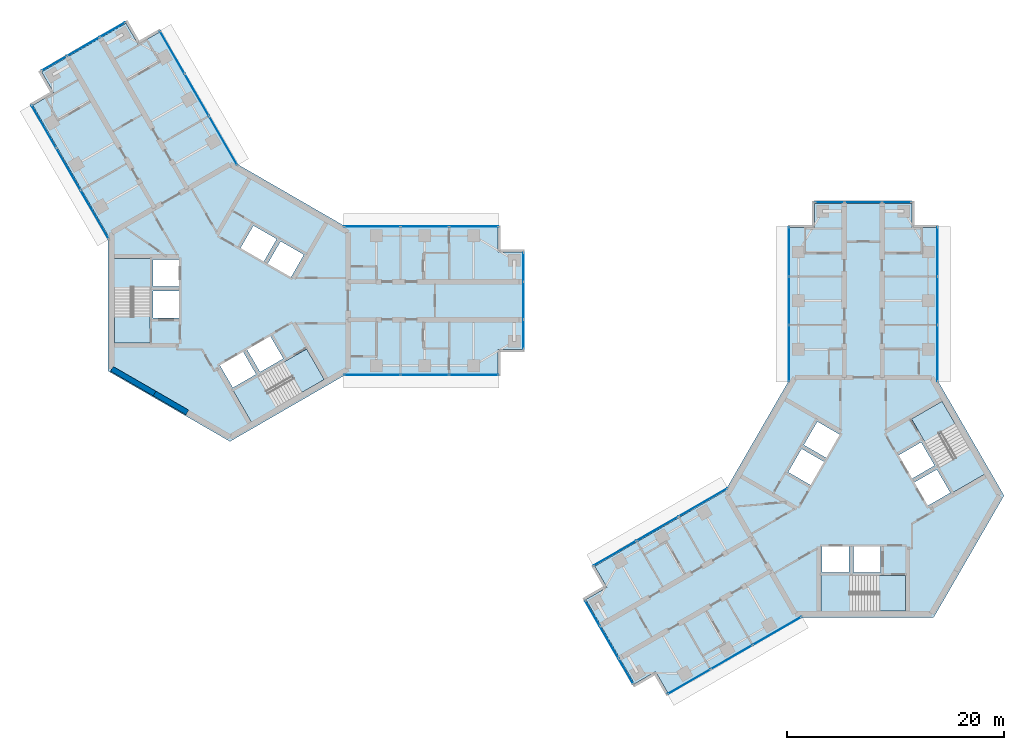
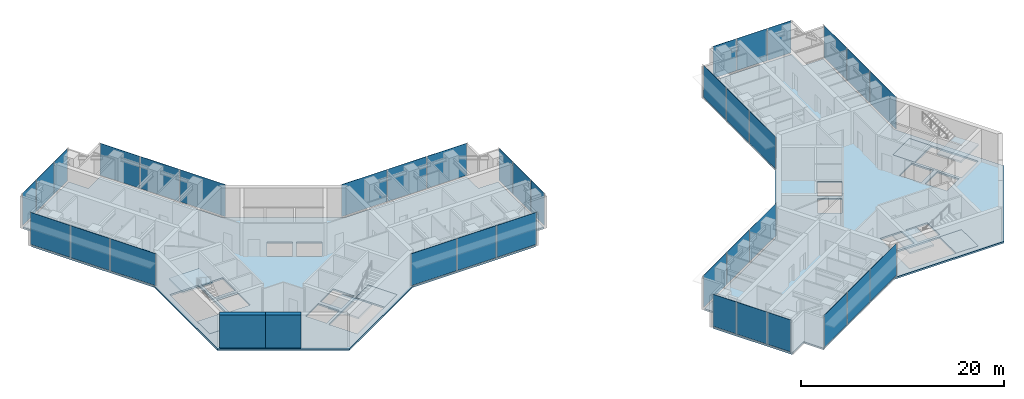
# One storey, part 10 of 17: 36 plates, 10 slabs, 2 walls, 16 elements without a shape of their own.
"""IFC4 building model written with IfcOpenShell, lengths in metres."""

from ifc_helpers import new_model, si_unit, direction, frame, frame_2d, origin, origin_2d, place, context, subcontext, project, spatial, polyline, rectangle, outline, extrude, material, layer, layer_set, type_object, element, aggregate, save


model = new_model("IFC4")

# Units and contexts
model_context = context("Model", 3, precision=1e-05, world=origin(), true_north=direction((0.0, 1.0)))
body_context = subcontext(model_context, "Body", "Model", "MODEL_VIEW")
ifc_project = project(units=[si_unit("LENGTHUNIT", "METRE"), si_unit("AREAUNIT", "SQUARE_METRE"), si_unit("VOLUMEUNIT", "CUBIC_METRE"), si_unit("PLANEANGLEUNIT", "RADIAN"), si_unit("MASSUNIT", "GRAM", prefix="KILO")], contexts=[model_context])

# Site, building, storey
site_placement = place(None, origin())
site = spatial("IfcSite", under=ifc_project, at=site_placement, CompositionType="ELEMENT")
building_placement = place(site_placement, origin())
building = spatial("IfcBuilding", under=site, at=building_placement, Name="Upepo Twin Towers", CompositionType="ELEMENT")
storey_placement = place(building_placement, frame((0.0, 0.0, 214.5)))
storey = spatial("IfcBuildingStorey", under=building, at=storey_placement, Name="L52", CompositionType="ELEMENT", Elevation=214.5)

# Curtain wall, plates
ifc_material_1 = material(Name="Aluminium and fritted glass", Category="aluminium")
curtain_wall_type = type_object("IfcCurtainWallType", Name="Tower curtain wall TW3, fritted glass", PredefinedType="NOTDEFINED", material=ifc_material_1)
curtain_wall_1_placement = place(storey_placement, origin())
curtain_wall_1 = element("IfcCurtainWall", 1, at=curtain_wall_1_placement, inside=storey, type_object=curtain_wall_type, Name="T1 L52 wing A flank L curtain wall", PredefinedType="NOTDEFINED")
ifc_material_2 = material(Name="Ceramic-fritted laminated glass", Category="glass")
ifc_layer_1 = layer(ifc_material_2, 0.031982421875)
ifc_layer_set_1 = layer_set([ifc_layer_1], Name="Fritted glass panel, 55 per cent dot frit, 32 mm double glazed")
plate_type_1 = type_object("IfcPlateType", Name="Fritted glass panel, 55 per cent dot frit, 32 mm double glazed", PredefinedType="CURTAIN_PANEL", material=ifc_layer_set_1)
plate_1_placement = place(storey_placement, frame((13.134765625, 6.85009765625, 0.14990234375), z_axis=(0.0, 0.0, 1.0), x_axis=(1.0, 0.0, 0.0)))
plate_1 = element("IfcPlate", 2, at=plate_1_placement, type_object=plate_type_1, Name="T1 L52 wing A flank L curtain wall panel 1", PredefinedType="CURTAIN_PANEL", context=body_context, shape_type="SweptSolid", body=[
    extrude(rectangle(XDim=5.165283203125, YDim=0.031982421875, at=origin_2d()), origin(), (0.0, 0.0, 1.0), 3.85009765625),
])
plate_2_placement = place(storey_placement, frame((18.0, 6.85009765625, 0.14990234375), z_axis=(0.0, 0.0, 1.0), x_axis=(1.0, 0.0, 0.0)))
plate_2 = element("IfcPlate", 3, at=plate_2_placement, type_object=plate_type_1, Name="T1 L52 wing A flank L curtain wall panel 2", PredefinedType="CURTAIN_PANEL", context=body_context, shape_type="SweptSolid", body=[
    extrude(rectangle(XDim=4.43505859375, YDim=0.031982421875, at=origin_2d()), origin(), (0.0, 0.0, 1.0), 3.85009765625),
])
plate_3_placement = place(storey_placement, frame((22.53369140625, 6.85009765625, 0.14990234375), z_axis=(0.0, 0.0, 1.0), x_axis=(1.0, 0.0, 0.0)))
plate_3 = element("IfcPlate", 4, at=plate_3_placement, type_object=plate_type_1, Name="T1 L52 wing A flank L curtain wall panel 3", PredefinedType="CURTAIN_PANEL", context=body_context, shape_type="SweptSolid", body=[
    extrude(rectangle(XDim=4.50244140625, YDim=0.031982421875, at=origin_2d()), origin(), (0.0, 0.0, 1.0), 3.85009765625),
])
aggregate(curtain_wall_1, [plate_1, plate_2, plate_3])

curtain_wall_2_placement = place(storey_placement, origin())
curtain_wall_2 = element("IfcCurtainWall", 5, at=curtain_wall_2_placement, inside=storey, type_object=curtain_wall_type, Name="T1 L52 wing A flank R curtain wall", PredefinedType="NOTDEFINED")
plate_4_placement = place(storey_placement, frame((22.53369140625, -6.85009765625, 0.14990234375), z_axis=(0.0, 0.0, 1.0), x_axis=(-1.0, 0.0, 0.0)))
plate_4 = element("IfcPlate", 6, at=plate_4_placement, type_object=plate_type_1, Name="T1 L52 wing A flank R curtain wall panel 1", PredefinedType="CURTAIN_PANEL", context=body_context, shape_type="SweptSolid", body=[
    extrude(rectangle(XDim=4.50244140625, YDim=0.031982421875, at=origin_2d()), origin(), (0.0, 0.0, 1.0), 3.85009765625),
])
plate_5_placement = place(storey_placement, frame((18.0, -6.85009765625, 0.14990234375), z_axis=(0.0, 0.0, 1.0), x_axis=(-1.0, 0.0, 0.0)))
plate_5 = element("IfcPlate", 7, at=plate_5_placement, type_object=plate_type_1, Name="T1 L52 wing A flank R curtain wall panel 2", PredefinedType="CURTAIN_PANEL", context=body_context, shape_type="SweptSolid", body=[
    extrude(rectangle(XDim=4.43505859375, YDim=0.031982421875, at=origin_2d()), origin(), (0.0, 0.0, 1.0), 3.85009765625),
])
plate_6_placement = place(storey_placement, frame((13.134765625, -6.85009765625, 0.14990234375), z_axis=(0.0, 0.0, 1.0), x_axis=(-1.0, 0.0, 0.0)))
plate_6 = element("IfcPlate", 8, at=plate_6_placement, type_object=plate_type_1, Name="T1 L52 wing A flank R curtain wall panel 3", PredefinedType="CURTAIN_PANEL", context=body_context, shape_type="SweptSolid", body=[
    extrude(rectangle(XDim=5.165283203125, YDim=0.031982421875, at=origin_2d()), origin(), (0.0, 0.0, 1.0), 3.85009765625),
])
aggregate(curtain_wall_2, [plate_4, plate_5, plate_6])

# Curtain wall, plate
curtain_wall_3_placement = place(storey_placement, origin())
curtain_wall_3 = element("IfcCurtainWall", 9, at=curtain_wall_3_placement, inside=storey, type_object=curtain_wall_type, Name="T1 L52 wing A nose curtain wall", PredefinedType="NOTDEFINED")
plate_7_placement = place(storey_placement, frame((27.10009765625, 0.0, 0.14990234375), z_axis=(0.0, 0.0, 1.0), x_axis=(0.0, 1.0, 0.0)))
plate_7 = element("IfcPlate", 10, at=plate_7_placement, type_object=plate_type_1, Name="T1 L52 wing A nose curtain wall panel 2", PredefinedType="CURTAIN_PANEL", context=body_context, shape_type="SweptSolid", body=[
    extrude(rectangle(XDim=3.43505859375, YDim=0.031982421875, at=origin_2d()), origin(), (0.0, 0.0, 1.0), 3.85009765625),
])

# Curtain wall, plates
curtain_wall_4_placement = place(storey_placement, origin())
curtain_wall_4 = element("IfcCurtainWall", 11, at=curtain_wall_4_placement, inside=storey, type_object=curtain_wall_type, Name="T1 L52 wing B flank L curtain wall", PredefinedType="NOTDEFINED")
plate_8_placement = place(storey_placement, frame((-12.499755859375, 7.9501953125, 0.14990234375), z_axis=(0.0, 0.0, 1.0), x_axis=(-0.500000026527, 0.866025388469, 0.0)))
plate_8 = element("IfcPlate", 12, at=plate_8_placement, type_object=plate_type_1, Name="T1 L52 wing B flank L curtain wall panel 1", PredefinedType="CURTAIN_PANEL", context=body_context, shape_type="SweptSolid", body=[
    extrude(rectangle(XDim=5.165283203125, YDim=0.031982421875, at=origin_2d()), origin(), (0.0, 0.0, 1.0), 3.85009765625),
])
plate_9_placement = place(storey_placement, frame((-14.932373046875, 12.16357421875, 0.14990234375), z_axis=(0.0, 0.0, 1.0), x_axis=(-0.500000026527, 0.866025388469, 0.0)))
plate_9 = element("IfcPlate", 13, at=plate_9_placement, type_object=plate_type_1, Name="T1 L52 wing B flank L curtain wall panel 2", PredefinedType="CURTAIN_PANEL", context=body_context, shape_type="SweptSolid", body=[
    extrude(rectangle(XDim=4.43505859375, YDim=0.031982421875, at=origin_2d()), origin(), (0.0, 0.0, 1.0), 3.85009765625),
])
plate_10_placement = place(storey_placement, frame((-17.19921875, 16.08984375, 0.14990234375), z_axis=(0.0, 0.0, 1.0), x_axis=(-0.500000026527, 0.866025388469, 0.0)))
plate_10 = element("IfcPlate", 14, at=plate_10_placement, type_object=plate_type_1, Name="T1 L52 wing B flank L curtain wall panel 3", PredefinedType="CURTAIN_PANEL", context=body_context, shape_type="SweptSolid", body=[
    extrude(rectangle(XDim=4.50244140625, YDim=0.031982421875, at=origin_2d()), origin(), (0.0, 0.0, 1.0), 3.85009765625),
])
aggregate(curtain_wall_4, [plate_8, plate_9, plate_10])

curtain_wall_5_placement = place(storey_placement, origin())
curtain_wall_5 = element("IfcCurtainWall", 15, at=curtain_wall_5_placement, inside=storey, type_object=curtain_wall_type, Name="T1 L52 wing B flank R curtain wall", PredefinedType="NOTDEFINED")
plate_11_placement = place(storey_placement, frame((-5.334716796875, 22.939697265625, 0.14990234375), z_axis=(0.0, 0.0, 1.0), x_axis=(0.500000026527, -0.866025388469, 0.0)))
plate_11 = element("IfcPlate", 16, at=plate_11_placement, type_object=plate_type_1, Name="T1 L52 wing B flank R curtain wall panel 1", PredefinedType="CURTAIN_PANEL", context=body_context, shape_type="SweptSolid", body=[
    extrude(rectangle(XDim=4.50244140625, YDim=0.031982421875, at=origin_2d()), origin(), (0.0, 0.0, 1.0), 3.85009765625),
])
plate_12_placement = place(storey_placement, frame((-3.067626953125, 19.013427734375, 0.14990234375), z_axis=(0.0, 0.0, 1.0), x_axis=(0.500000026527, -0.866025388469, 0.0)))
plate_12 = element("IfcPlate", 17, at=plate_12_placement, type_object=plate_type_1, Name="T1 L52 wing B flank R curtain wall panel 2", PredefinedType="CURTAIN_PANEL", context=body_context, shape_type="SweptSolid", body=[
    extrude(rectangle(XDim=4.43505859375, YDim=0.031982421875, at=origin_2d()), origin(), (0.0, 0.0, 1.0), 3.85009765625),
])
plate_13_placement = place(storey_placement, frame((-0.635009765625, 14.800048828125, 0.14990234375), z_axis=(0.0, 0.0, 1.0), x_axis=(0.500000026527, -0.866025388469, 0.0)))
plate_13 = element("IfcPlate", 18, at=plate_13_placement, type_object=plate_type_1, Name="T1 L52 wing B flank R curtain wall panel 3", PredefinedType="CURTAIN_PANEL", context=body_context, shape_type="SweptSolid", body=[
    extrude(rectangle(XDim=5.165283203125, YDim=0.031982421875, at=origin_2d()), origin(), (0.0, 0.0, 1.0), 3.85009765625),
])
aggregate(curtain_wall_5, [plate_11, plate_12, plate_13])

# Curtain wall, plate
curtain_wall_6_placement = place(storey_placement, origin())
curtain_wall_6 = element("IfcCurtainWall", 19, at=curtain_wall_6_placement, inside=storey, type_object=curtain_wall_type, Name="T1 L52 wing B nose curtain wall", PredefinedType="NOTDEFINED")
plate_14_placement = place(storey_placement, frame((-13.550048828125, 23.46923828125, 0.14990234375), z_axis=(0.0, 0.0, 1.0), x_axis=(-0.866025386174, -0.500000030502, 0.0)))
plate_14 = element("IfcPlate", 20, at=plate_14_placement, type_object=plate_type_1, Name="T1 L52 wing B nose curtain wall panel 2", PredefinedType="CURTAIN_PANEL", context=body_context, shape_type="SweptSolid", body=[
    extrude(rectangle(XDim=3.43505859375, YDim=0.031982421875, at=origin_2d()), origin(), (0.0, 0.0, 1.0), 3.85009765625),
])

# Curtain wall, plates
curtain_wall_7_placement = place(storey_placement, origin())
curtain_wall_7 = element("IfcCurtainWall", 21, at=curtain_wall_7_placement, inside=storey, type_object=curtain_wall_type, Name="T2 L52 wing A flank L curtain wall", PredefinedType="NOTDEFINED")
plate_15_placement = place(storey_placement, frame((51.64990234375, -4.865234375, 0.14990234375), z_axis=(0.0, 0.0, 1.0), x_axis=(0.0, 1.0, 0.0)))
plate_15 = element("IfcPlate", 22, at=plate_15_placement, type_object=plate_type_1, Name="T2 L52 wing A flank L curtain wall panel 1", PredefinedType="CURTAIN_PANEL", context=body_context, shape_type="SweptSolid", body=[
    extrude(rectangle(XDim=5.165283203125, YDim=0.031982421875, at=origin_2d()), origin(), (0.0, 0.0, 1.0), 3.85009765625),
])
plate_16_placement = place(storey_placement, frame((51.64990234375, 0.0, 0.14990234375), z_axis=(0.0, 0.0, 1.0), x_axis=(0.0, 1.0, 0.0)))
plate_16 = element("IfcPlate", 23, at=plate_16_placement, type_object=plate_type_1, Name="T2 L52 wing A flank L curtain wall panel 2", PredefinedType="CURTAIN_PANEL", context=body_context, shape_type="SweptSolid", body=[
    extrude(rectangle(XDim=4.43505859375, YDim=0.031982421875, at=origin_2d()), origin(), (0.0, 0.0, 1.0), 3.85009765625),
])
plate_17_placement = place(storey_placement, frame((51.64990234375, 4.53369140625, 0.14990234375), z_axis=(0.0, 0.0, 1.0), x_axis=(0.0, 1.0, 0.0)))
plate_17 = element("IfcPlate", 24, at=plate_17_placement, type_object=plate_type_1, Name="T2 L52 wing A flank L curtain wall panel 3", PredefinedType="CURTAIN_PANEL", context=body_context, shape_type="SweptSolid", body=[
    extrude(rectangle(XDim=4.50244140625, YDim=0.031982421875, at=origin_2d()), origin(), (0.0, 0.0, 1.0), 3.85009765625),
])
aggregate(curtain_wall_7, [plate_15, plate_16, plate_17])

curtain_wall_8_placement = place(storey_placement, origin())
curtain_wall_8 = element("IfcCurtainWall", 25, at=curtain_wall_8_placement, inside=storey, type_object=curtain_wall_type, Name="T2 L52 wing A flank R curtain wall", PredefinedType="NOTDEFINED")
plate_18_placement = place(storey_placement, frame((65.35009765625, 4.53369140625, 0.14990234375), z_axis=(0.0, 0.0, 1.0), x_axis=(0.0, -1.0, 0.0)))
plate_18 = element("IfcPlate", 26, at=plate_18_placement, type_object=plate_type_1, Name="T2 L52 wing A flank R curtain wall panel 1", PredefinedType="CURTAIN_PANEL", context=body_context, shape_type="SweptSolid", body=[
    extrude(rectangle(XDim=4.50244140625, YDim=0.031982421875, at=origin_2d()), origin(), (0.0, 0.0, 1.0), 3.85009765625),
])
plate_19_placement = place(storey_placement, frame((65.35009765625, 0.0, 0.14990234375), z_axis=(0.0, 0.0, 1.0), x_axis=(0.0, -1.0, 0.0)))
plate_19 = element("IfcPlate", 27, at=plate_19_placement, type_object=plate_type_1, Name="T2 L52 wing A flank R curtain wall panel 2", PredefinedType="CURTAIN_PANEL", context=body_context, shape_type="SweptSolid", body=[
    extrude(rectangle(XDim=4.43505859375, YDim=0.031982421875, at=origin_2d()), origin(), (0.0, 0.0, 1.0), 3.85009765625),
])
plate_20_placement = place(storey_placement, frame((65.35009765625, -4.865234375, 0.14990234375), z_axis=(0.0, 0.0, 1.0), x_axis=(0.0, -1.0, 0.0)))
plate_20 = element("IfcPlate", 28, at=plate_20_placement, type_object=plate_type_1, Name="T2 L52 wing A flank R curtain wall panel 3", PredefinedType="CURTAIN_PANEL", context=body_context, shape_type="SweptSolid", body=[
    extrude(rectangle(XDim=5.165283203125, YDim=0.031982421875, at=origin_2d()), origin(), (0.0, 0.0, 1.0), 3.85009765625),
])
aggregate(curtain_wall_8, [plate_18, plate_19, plate_20])

# Curtain wall, plate
curtain_wall_9_placement = place(storey_placement, origin())
curtain_wall_9 = element("IfcCurtainWall", 29, at=curtain_wall_9_placement, inside=storey, type_object=curtain_wall_type, Name="T2 L52 wing A nose curtain wall", PredefinedType="NOTDEFINED")
plate_21_placement = place(storey_placement, frame((58.5, 9.10009765625, 0.14990234375), z_axis=(0.0, 0.0, 1.0), x_axis=(-1.0, 0.0, 0.0)))
plate_21 = element("IfcPlate", 30, at=plate_21_placement, type_object=plate_type_1, Name="T2 L52 wing A nose curtain wall panel 2", PredefinedType="CURTAIN_PANEL", context=body_context, shape_type="SweptSolid", body=[
    extrude(rectangle(XDim=3.43505859375, YDim=0.031982421875, at=origin_2d()), origin(), (0.0, 0.0, 1.0), 3.85009765625),
])

# Curtain wall, plates
curtain_wall_10_placement = place(storey_placement, origin())
curtain_wall_10 = element("IfcCurtainWall", 31, at=curtain_wall_10_placement, inside=storey, type_object=curtain_wall_type, Name="T2 L52 wing B flank L curtain wall", PredefinedType="NOTDEFINED")
plate_22_placement = place(storey_placement, frame((50.5498046875, -30.499755859375, 0.14990234375), z_axis=(0.0, 0.0, 1.0), x_axis=(-0.866025388469, -0.500000026527, 0.0)))
plate_22 = element("IfcPlate", 32, at=plate_22_placement, type_object=plate_type_1, Name="T2 L52 wing B flank L curtain wall panel 1", PredefinedType="CURTAIN_PANEL", context=body_context, shape_type="SweptSolid", body=[
    extrude(rectangle(XDim=5.165283203125, YDim=0.031982421875, at=origin_2d()), origin(), (0.0, 0.0, 1.0), 3.85009765625),
])
plate_23_placement = place(storey_placement, frame((46.33642578125, -32.932373046875, 0.14990234375), z_axis=(0.0, 0.0, 1.0), x_axis=(-0.866025388469, -0.500000026527, 0.0)))
plate_23 = element("IfcPlate", 33, at=plate_23_placement, type_object=plate_type_1, Name="T2 L52 wing B flank L curtain wall panel 2", PredefinedType="CURTAIN_PANEL", context=body_context, shape_type="SweptSolid", body=[
    extrude(rectangle(XDim=4.43505859375, YDim=0.031982421875, at=origin_2d()), origin(), (0.0, 0.0, 1.0), 3.85009765625),
])
plate_24_placement = place(storey_placement, frame((42.41015625, -35.19921875, 0.14990234375), z_axis=(0.0, 0.0, 1.0), x_axis=(-0.866025388469, -0.500000026527, 0.0)))
plate_24 = element("IfcPlate", 34, at=plate_24_placement, type_object=plate_type_1, Name="T2 L52 wing B flank L curtain wall panel 3", PredefinedType="CURTAIN_PANEL", context=body_context, shape_type="SweptSolid", body=[
    extrude(rectangle(XDim=4.50244140625, YDim=0.031982421875, at=origin_2d()), origin(), (0.0, 0.0, 1.0), 3.85009765625),
])
aggregate(curtain_wall_10, [plate_22, plate_23, plate_24])

curtain_wall_11_placement = place(storey_placement, origin())
curtain_wall_11 = element("IfcCurtainWall", 35, at=curtain_wall_11_placement, inside=storey, type_object=curtain_wall_type, Name="T2 L52 wing B flank R curtain wall", PredefinedType="NOTDEFINED")
plate_25_placement = place(storey_placement, frame((35.560302734375, -23.334716796875, 0.14990234375), z_axis=(0.0, 0.0, 1.0), x_axis=(0.866025388469, 0.500000026527, 0.0)))
plate_25 = element("IfcPlate", 36, at=plate_25_placement, type_object=plate_type_1, Name="T2 L52 wing B flank R curtain wall panel 1", PredefinedType="CURTAIN_PANEL", context=body_context, shape_type="SweptSolid", body=[
    extrude(rectangle(XDim=4.50244140625, YDim=0.031982421875, at=origin_2d()), origin(), (0.0, 0.0, 1.0), 3.85009765625),
])
plate_26_placement = place(storey_placement, frame((39.486572265625, -21.067626953125, 0.14990234375), z_axis=(0.0, 0.0, 1.0), x_axis=(0.866025388469, 0.500000026527, 0.0)))
plate_26 = element("IfcPlate", 37, at=plate_26_placement, type_object=plate_type_1, Name="T2 L52 wing B flank R curtain wall panel 2", PredefinedType="CURTAIN_PANEL", context=body_context, shape_type="SweptSolid", body=[
    extrude(rectangle(XDim=4.43505859375, YDim=0.031982421875, at=origin_2d()), origin(), (0.0, 0.0, 1.0), 3.85009765625),
])
plate_27_placement = place(storey_placement, frame((43.699951171875, -18.635009765625, 0.14990234375), z_axis=(0.0, 0.0, 1.0), x_axis=(0.866025388469, 0.500000026527, 0.0)))
plate_27 = element("IfcPlate", 38, at=plate_27_placement, type_object=plate_type_1, Name="T2 L52 wing B flank R curtain wall panel 3", PredefinedType="CURTAIN_PANEL", context=body_context, shape_type="SweptSolid", body=[
    extrude(rectangle(XDim=5.165283203125, YDim=0.031982421875, at=origin_2d()), origin(), (0.0, 0.0, 1.0), 3.85009765625),
])
aggregate(curtain_wall_11, [plate_25, plate_26, plate_27])

# Curtain wall, plate
curtain_wall_12_placement = place(storey_placement, origin())
curtain_wall_12 = element("IfcCurtainWall", 39, at=curtain_wall_12_placement, inside=storey, type_object=curtain_wall_type, Name="T2 L52 wing B nose curtain wall", PredefinedType="NOTDEFINED")
plate_28_placement = place(storey_placement, frame((35.03076171875, -31.550048828125, 0.14990234375), z_axis=(0.0, 0.0, 1.0), x_axis=(0.500000030502, -0.866025386174, 0.0)))
plate_28 = element("IfcPlate", 40, at=plate_28_placement, type_object=plate_type_1, Name="T2 L52 wing B nose curtain wall panel 2", PredefinedType="CURTAIN_PANEL", context=body_context, shape_type="SweptSolid", body=[
    extrude(rectangle(XDim=3.43505859375, YDim=0.031982421875, at=origin_2d()), origin(), (0.0, 0.0, 1.0), 3.85009765625),
])

# Plate
ifc_material_3 = material(Name="Clear laminated glass in opening sash", Category="glass")
ifc_layer_2 = layer(ifc_material_3, 0.031982421875)
ifc_layer_set_2 = layer_set([ifc_layer_2], Name="Operable glass panel, 32 mm double glazed")
plate_type_2 = type_object("IfcPlateType", Name="Operable glass panel, 32 mm double glazed", PredefinedType="CURTAIN_PANEL", material=ifc_layer_set_2)
plate_29_placement = place(storey_placement, frame((27.10009765625, -3.108642578125, 0.14990234375), z_axis=(0.0, 0.0, 1.0), x_axis=(0.0, 1.0, 0.0)))
plate_29 = element("IfcPlate", 41, at=plate_29_placement, type_object=plate_type_2, Name="T1 L52 wing A nose curtain wall panel 1", PredefinedType="CURTAIN_PANEL", context=body_context, shape_type="SweptSolid", body=[
    extrude(rectangle(XDim=2.652587890625, YDim=0.031982421875, at=origin_2d()), origin(), (0.0, 0.0, 1.0), 3.85009765625),
])

plate_30_placement = place(storey_placement, frame((27.10009765625, 3.108642578125, 0.14990234375), z_axis=(0.0, 0.0, 1.0), x_axis=(0.0, 1.0, 0.0)))
plate_30 = element("IfcPlate", 42, at=plate_30_placement, type_object=plate_type_2, Name="T1 L52 wing A nose curtain wall panel 3", PredefinedType="CURTAIN_PANEL", context=body_context, shape_type="SweptSolid", body=[
    extrude(rectangle(XDim=2.652587890625, YDim=0.031982421875, at=origin_2d()), origin(), (0.0, 0.0, 1.0), 3.85009765625),
])

aggregate(curtain_wall_3, [plate_29, plate_7, plate_30])

plate_31_placement = place(storey_placement, frame((-10.857666015625, 25.023681640625, 0.14990234375), z_axis=(0.0, 0.0, 1.0), x_axis=(-0.866025386174, -0.500000030502, 0.0)))
plate_31 = element("IfcPlate", 43, at=plate_31_placement, type_object=plate_type_2, Name="T1 L52 wing B nose curtain wall panel 1", PredefinedType="CURTAIN_PANEL", context=body_context, shape_type="SweptSolid", body=[
    extrude(rectangle(XDim=2.652587890625, YDim=0.031982421875, at=origin_2d()), origin(), (0.0, 0.0, 1.0), 3.85009765625),
])

plate_32_placement = place(storey_placement, frame((-16.2421875, 21.914794921875, 0.14990234375), z_axis=(0.0, 0.0, 1.0), x_axis=(-0.866025386174, -0.500000030502, 0.0)))
plate_32 = element("IfcPlate", 44, at=plate_32_placement, type_object=plate_type_2, Name="T1 L52 wing B nose curtain wall panel 3", PredefinedType="CURTAIN_PANEL", context=body_context, shape_type="SweptSolid", body=[
    extrude(rectangle(XDim=2.652587890625, YDim=0.031982421875, at=origin_2d()), origin(), (0.0, 0.0, 1.0), 3.85009765625),
])

aggregate(curtain_wall_6, [plate_31, plate_14, plate_32])

plate_33_placement = place(storey_placement, frame((61.608642578125, 9.10009765625, 0.14990234375), z_axis=(0.0, 0.0, 1.0), x_axis=(-1.0, 0.0, 0.0)))
plate_33 = element("IfcPlate", 45, at=plate_33_placement, type_object=plate_type_2, Name="T2 L52 wing A nose curtain wall panel 1", PredefinedType="CURTAIN_PANEL", context=body_context, shape_type="SweptSolid", body=[
    extrude(rectangle(XDim=2.652587890625, YDim=0.031982421875, at=origin_2d()), origin(), (0.0, 0.0, 1.0), 3.85009765625),
])

plate_34_placement = place(storey_placement, frame((55.391357421875, 9.10009765625, 0.14990234375), z_axis=(0.0, 0.0, 1.0), x_axis=(-1.0, 0.0, 0.0)))
plate_34 = element("IfcPlate", 46, at=plate_34_placement, type_object=plate_type_2, Name="T2 L52 wing A nose curtain wall panel 3", PredefinedType="CURTAIN_PANEL", context=body_context, shape_type="SweptSolid", body=[
    extrude(rectangle(XDim=2.652587890625, YDim=0.031982421875, at=origin_2d()), origin(), (0.0, 0.0, 1.0), 3.85009765625),
])

aggregate(curtain_wall_9, [plate_33, plate_21, plate_34])

plate_35_placement = place(storey_placement, frame((33.476318359375, -28.857666015625, 0.14990234375), z_axis=(0.0, 0.0, 1.0), x_axis=(0.500000030502, -0.866025386174, 0.0)))
plate_35 = element("IfcPlate", 47, at=plate_35_placement, type_object=plate_type_2, Name="T2 L52 wing B nose curtain wall panel 1", PredefinedType="CURTAIN_PANEL", context=body_context, shape_type="SweptSolid", body=[
    extrude(rectangle(XDim=2.652587890625, YDim=0.031982421875, at=origin_2d()), origin(), (0.0, 0.0, 1.0), 3.85009765625),
])

plate_36_placement = place(storey_placement, frame((36.585205078125, -34.2421875, 0.14990234375), z_axis=(0.0, 0.0, 1.0), x_axis=(0.500000030502, -0.866025386174, 0.0)))
plate_36 = element("IfcPlate", 48, at=plate_36_placement, type_object=plate_type_2, Name="T2 L52 wing B nose curtain wall panel 3", PredefinedType="CURTAIN_PANEL", context=body_context, shape_type="SweptSolid", body=[
    extrude(rectangle(XDim=2.652587890625, YDim=0.031982421875, at=origin_2d()), origin(), (0.0, 0.0, 1.0), 3.85009765625),
])

aggregate(curtain_wall_12, [plate_35, plate_28, plate_36])

# Stair, slabs
ifc_material_4 = material(Name="Concrete C40/50", Category="concrete")
stair_type = type_object("IfcStairType", Name="Core stair, two flights", PredefinedType="HALF_TURN_STAIR", material=ifc_material_4)
stair_1_placement = place(storey_placement, origin())
stair_1 = element("IfcStair", 49, at=stair_1_placement, inside=storey, type_object=stair_type, Name="T1 stair S1 L52", PredefinedType="HALF_TURN_STAIR")
ifc_material_5 = material(Name="Concrete C40/50", Category="concrete")
ifc_layer_3 = layer(ifc_material_5, 0.199951171875)
ifc_layer_set_3 = layer_set([ifc_layer_3], Name="Concrete C40/50")
slab_type_1 = type_object("IfcSlabType", Name="Stair landing 200 RC", PredefinedType="LANDING", material=ifc_layer_set_3)
slab_1_placement = place(storey_placement, frame((0.0, 0.0, -0.199951171875)))
slab_1 = element("IfcSlab", 50, at=slab_1_placement, type_object=slab_type_1, Name="Stair S1 landing 1", PredefinedType="LANDING", context=body_context, shape_type="SweptSolid", body=[
    extrude(outline(polyline([(-7.39990234375, -1.419921875), (-10.658447265625, -1.419921875), (-10.658447265625, -3.89990234375), (-7.39990234375, -3.89990234375), (-7.39990234375, -1.419921875)])), origin(), (0.0, 0.0, 1.0), 0.199951171875),
])
slab_2_placement = place(storey_placement, frame((0.0, 0.0, 1.800048828125)))
slab_2 = element("IfcSlab", 51, at=slab_2_placement, type_object=slab_type_1, Name="Stair S1 landing 2", PredefinedType="LANDING", context=body_context, shape_type="SweptSolid", body=[
    extrude(outline(polyline([(-7.300048828125, 3.89990234375), (-10.75830078125, 3.89990234375), (-10.75830078125, 1.179931640625), (-7.300048828125, 1.179931640625), (-7.300048828125, 3.89990234375)])), origin(), (0.0, 0.0, 1.0), 0.199951171875),
])
aggregate(stair_1, [slab_1, slab_2])

stair_2_placement = place(storey_placement, origin())
stair_2 = element("IfcStair", 52, at=stair_2_placement, inside=storey, type_object=stair_type, Name="T1 stair S2 L52", PredefinedType="HALF_TURN_STAIR")
slab_3_placement = place(storey_placement, frame((0.0, 0.0, -0.199951171875)))
slab_3 = element("IfcSlab", 53, at=slab_3_placement, type_object=slab_type_1, Name="Stair S2 landing 1", PredefinedType="LANDING", context=body_context, shape_type="SweptSolid", body=[
    extrude(outline(polyline([(4.9296875, -5.698486328125), (6.558837890625, -8.520263671875), (8.70654296875, -7.2802734375), (7.077392578125, -4.45849609375), (4.9296875, -5.698486328125)])), origin(), (0.0, 0.0, 1.0), 0.199951171875),
])
slab_4_placement = place(storey_placement, frame((0.0, 0.0, 1.800048828125)))
slab_4 = element("IfcSlab", 54, at=slab_4_placement, type_object=slab_type_1, Name="Stair S2 landing 2", PredefinedType="LANDING", context=body_context, shape_type="SweptSolid", body=[
    extrude(outline(polyline([(0.2724609375, -8.27197265625), (2.001708984375, -11.26708984375), (4.357177734375, -9.906982421875), (2.628173828125, -6.911865234375), (0.2724609375, -8.27197265625)])), origin(), (0.0, 0.0, 1.0), 0.199951171875),
])
aggregate(stair_2, [slab_3, slab_4])

stair_3_placement = place(storey_placement, origin())
stair_3 = element("IfcStair", 55, at=stair_3_placement, inside=storey, type_object=stair_type, Name="T2 stair S1 L52", PredefinedType="HALF_TURN_STAIR")
slab_5_placement = place(storey_placement, frame((0.0, 0.0, -0.199951171875)))
slab_5 = element("IfcSlab", 56, at=slab_5_placement, type_object=slab_type_1, Name="Stair S1 landing 1", PredefinedType="LANDING", context=body_context, shape_type="SweptSolid", body=[
    extrude(outline(polyline([(59.919921875, -25.39990234375), (59.919921875, -28.658447265625), (62.39990234375, -28.658447265625), (62.39990234375, -25.39990234375), (59.919921875, -25.39990234375)])), origin(), (0.0, 0.0, 1.0), 0.199951171875),
])
slab_6_placement = place(storey_placement, frame((0.0, 0.0, 1.800048828125)))
slab_6 = element("IfcSlab", 57, at=slab_6_placement, type_object=slab_type_1, Name="Stair S1 landing 2", PredefinedType="LANDING", context=body_context, shape_type="SweptSolid", body=[
    extrude(outline(polyline([(54.60009765625, -25.300048828125), (54.60009765625, -28.75830078125), (57.320068359375, -28.75830078125), (57.320068359375, -25.300048828125), (54.60009765625, -25.300048828125)])), origin(), (0.0, 0.0, 1.0), 0.199951171875),
])
aggregate(stair_3, [slab_5, slab_6])

stair_4_placement = place(storey_placement, origin())
stair_4 = element("IfcStair", 58, at=stair_4_placement, inside=storey, type_object=stair_type, Name="T2 stair S2 L52", PredefinedType="HALF_TURN_STAIR")
slab_7_placement = place(storey_placement, frame((0.0, 0.0, -0.199951171875)))
slab_7 = element("IfcSlab", 59, at=slab_7_placement, type_object=slab_type_1, Name="Stair S2 landing 1", PredefinedType="LANDING", context=body_context, shape_type="SweptSolid", body=[
    extrude(outline(polyline([(64.198486328125, -13.0703125), (67.020263671875, -11.441162109375), (65.7802734375, -9.29345703125), (62.95849609375, -10.922607421875), (64.198486328125, -13.0703125)])), origin(), (0.0, 0.0, 1.0), 0.199951171875),
])
slab_8_placement = place(storey_placement, frame((0.0, 0.0, 1.800048828125)))
slab_8 = element("IfcSlab", 60, at=slab_8_placement, type_object=slab_type_1, Name="Stair S2 landing 2", PredefinedType="LANDING", context=body_context, shape_type="SweptSolid", body=[
    extrude(outline(polyline([(66.77197265625, -17.7275390625), (69.76708984375, -15.998291015625), (68.406982421875, -13.642822265625), (65.411865234375, -15.371826171875), (66.77197265625, -17.7275390625)])), origin(), (0.0, 0.0, 1.0), 0.199951171875),
])
aggregate(stair_4, [slab_7, slab_8])

# Slabs
ifc_material_6 = material(Name="Concrete C40/50", Category="concrete")
ifc_layer_4 = layer(ifc_material_6, 0.199951171875)
ifc_layer_set_4 = layer_set([ifc_layer_4], Name="Concrete C40/50")
slab_type_2 = type_object("IfcSlabType", Name="Tower floor slab 200 RC", PredefinedType="FLOOR", material=ifc_layer_set_4)
slab_9_placement = place(storey_placement, frame((0.0, 0.0, -0.199951171875)))
element("IfcSlab", 61, at=slab_9_placement, inside=storey, type_object=slab_type_2, Name="T1 L52 floor slab", PredefinedType="FLOOR", context=body_context, shape_type="SweptSolid", body=[
    extrude(outline(polyline([(10.825439453125, 6.75), (24.75, 6.75), (24.75, 4.5), (27.0, 4.5), (27.0, -4.5), (24.75, -4.5), (24.75, -6.75), (10.825439453125, -6.75), (0.0, -13.0), (-11.25830078125, -6.5), (-11.25830078125, 6.0), (-18.220703125, 18.05908203125), (-16.272216796875, 19.18408203125), (-17.397216796875, 21.132568359375), (-9.602783203125, 25.632568359375), (-8.477783203125, 23.68408203125), (-6.529296875, 24.80908203125), (0.43310546875, 12.75), (10.825439453125, 6.75)]), holes=[polyline([(5.640869140625, 2.17041015625), (6.8408203125, 4.248779296875), (4.67578125, 5.498779296875), (3.475830078125, 3.42041015625), (5.640869140625, 2.17041015625)]), polyline([(3.12939453125, 3.620361328125), (4.329345703125, 5.69873046875), (2.164306640625, 6.94873046875), (0.96435546875, 4.870361328125), (3.12939453125, 3.620361328125)]), polyline([(-4.699951171875, 3.800048828125), (-7.10009765625, 3.800048828125), (-7.10009765625, 1.300048828125), (-4.699951171875, 1.300048828125), (-4.699951171875, 3.800048828125)]), polyline([(-4.699951171875, 0.89990234375), (-7.10009765625, 0.89990234375), (-7.10009765625, -1.60009765625), (-4.699951171875, -1.60009765625), (-4.699951171875, 0.89990234375)]), polyline([(-7.39990234375, 3.89990234375), (-10.658447265625, 3.89990234375), (-10.658447265625, -3.89990234375), (-7.39990234375, -3.89990234375), (-7.39990234375, 3.89990234375)]), polyline([(-0.94091796875, -5.97021484375), (0.259033203125, -8.048828125), (2.424072265625, -6.798828125), (1.22412109375, -4.72021484375), (-0.94091796875, -5.97021484375)]), polyline([(1.570556640625, -4.520263671875), (2.7705078125, -6.598876953125), (4.935546875, -5.348876953125), (3.735595703125, -3.270263671875), (1.570556640625, -4.520263671875)]), polyline([(0.322509765625, -8.358642578125), (1.95166015625, -11.180419921875), (8.70654296875, -7.2802734375), (7.077392578125, -4.45849609375), (0.322509765625, -8.358642578125)])]), origin(), (0.0, 0.0, 1.0), 0.199951171875),
])
slab_10_placement = place(storey_placement, frame((0.0, 0.0, -0.199951171875)))
element("IfcSlab", 62, at=slab_10_placement, inside=storey, type_object=slab_type_2, Name="T2 L52 floor slab", PredefinedType="FLOOR", context=body_context, shape_type="SweptSolid", body=[
    extrude(outline(polyline([(51.75, -7.174560546875), (51.75, 6.75), (54.0, 6.75), (54.0, 9.0), (63.0, 9.0), (63.0, 6.75), (65.25, 6.75), (65.25, -7.174560546875), (71.5, -18.0), (65.0, -29.25830078125), (52.5, -29.25830078125), (40.44091796875, -36.220703125), (39.31591796875, -34.272216796875), (37.367431640625, -35.397216796875), (32.867431640625, -27.602783203125), (34.81591796875, -26.477783203125), (33.69091796875, -24.529296875), (45.75, -17.56689453125), (51.75, -7.174560546875)]), holes=[polyline([(56.32958984375, -12.359130859375), (54.251220703125, -11.1591796875), (53.001220703125, -13.32421875), (55.07958984375, -14.524169921875), (56.32958984375, -12.359130859375)]), polyline([(54.879638671875, -14.87060546875), (52.80126953125, -13.670654296875), (51.55126953125, -15.835693359375), (53.629638671875, -17.03564453125), (54.879638671875, -14.87060546875)]), polyline([(54.699951171875, -22.699951171875), (54.699951171875, -25.10009765625), (57.199951171875, -25.10009765625), (57.199951171875, -22.699951171875), (54.699951171875, -22.699951171875)]), polyline([(57.60009765625, -22.699951171875), (57.60009765625, -25.10009765625), (60.10009765625, -25.10009765625), (60.10009765625, -22.699951171875), (57.60009765625, -22.699951171875)]), polyline([(54.60009765625, -25.39990234375), (54.60009765625, -28.658447265625), (62.39990234375, -28.658447265625), (62.39990234375, -25.39990234375), (54.60009765625, -25.39990234375)]), polyline([(64.47021484375, -18.94091796875), (66.548828125, -17.740966796875), (65.298828125, -15.575927734375), (63.22021484375, -16.77587890625), (64.47021484375, -18.94091796875)]), polyline([(63.020263671875, -16.429443359375), (65.098876953125, -15.2294921875), (63.848876953125, -13.064453125), (61.770263671875, -14.264404296875), (63.020263671875, -16.429443359375)]), polyline([(66.858642578125, -17.677490234375), (69.680419921875, -16.04833984375), (65.7802734375, -9.29345703125), (62.95849609375, -10.922607421875), (66.858642578125, -17.677490234375)])]), origin(), (0.0, 0.0, 1.0), 0.199951171875),
])

# Walls
ifc_material_7 = material(Name="Concrete C60/75", Category="concrete")
ifc_layer_5 = layer(ifc_material_7, 0.5)
ifc_layer_set_5 = layer_set([ifc_layer_5], Name="Concrete C60/75")
wall_type = type_object("IfcWallType", Name="Core wall 500 RC", PredefinedType="SHEAR", material=ifc_layer_set_5)
wall_1_placement = place(storey_placement, frame((-10.908447265625, -6.2978515625, 0.0), z_axis=(0.0, 0.0, 1.0), x_axis=(0.866034513004, -0.499984222037, 0.0)))
element("IfcWall", 63, at=wall_1_placement, inside=storey, type_object=wall_type, Name="T1 core wall 240 R", PredefinedType="SHEAR", context=body_context, shape_type="SweptSolid", body=[
    extrude(rectangle(XDim=4.548095703125, YDim=0.5, at=frame_2d((2.27392578125, 0.0))), origin(), (0.0, 0.0, 1.0), 4.0),
])
wall_2_placement = place(storey_placement, frame((-6.9697265625, -8.57177734375, 0.0), z_axis=(0.0, 0.0, 1.0), x_axis=(0.866019471182, -0.500010275428, 0.0)))
element("IfcWall", 64, at=wall_2_placement, inside=storey, type_object=wall_type, Name="T1 core wall 240", PredefinedType="SHEAR", context=body_context, shape_type="SweptSolid", body=[
    extrude(rectangle(XDim=3.5, YDim=0.5, at=frame_2d((1.75, 0.0))), origin(), (0.0, 0.0, 1.0), 4.0),
])

save(model, "model.ifc")
